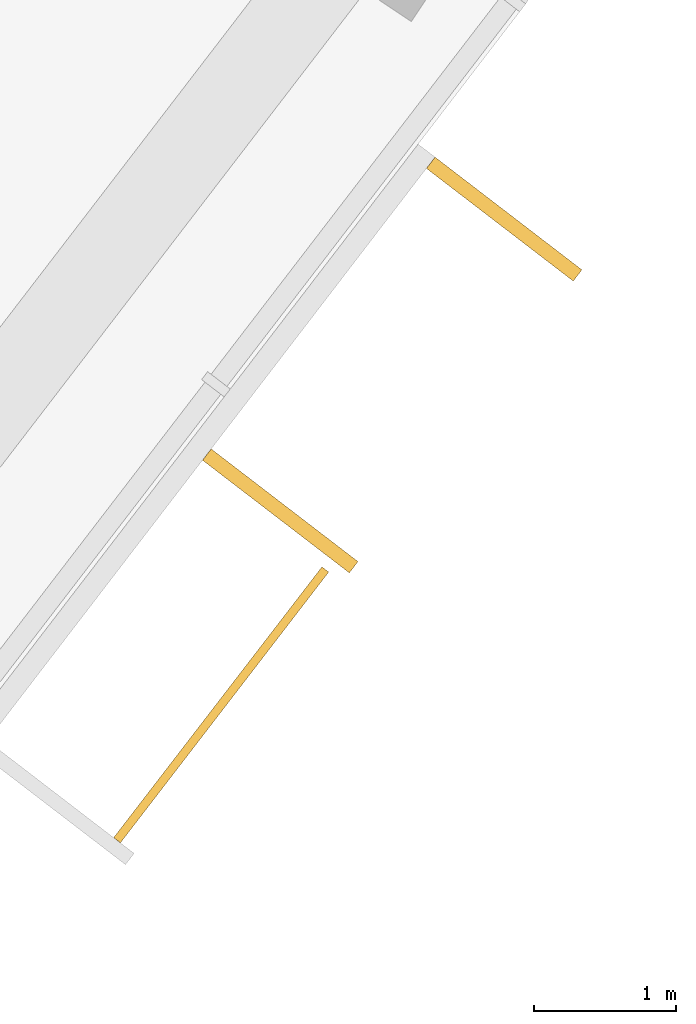
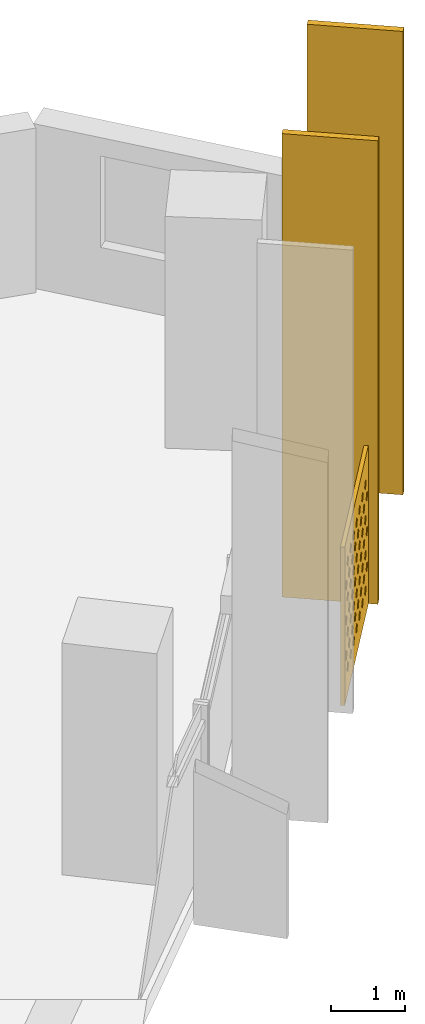
# One storey, part 27 of 27: 3 shading devices.
"""IFC4 building model written with IfcOpenShell, lengths in metres."""

import ifcopenshell
import ifcopenshell.guid

model = None  # the IFC model being written
_history = None  # IfcOwnerHistory: only IFC2X3 demands one
_inside = {}  # id of a spatial element -> (the spatial element, [elements in it])
_under = {}  # id of a project, library or spatial element -> (it, [spatial elements below it])
_declared = {}  # id of a project -> (the project, [libraries it declares])
_typed = {}  # id of a type object -> (the type object, [elements of that type])
_made_of = {}  # id of a material, layer set ... -> (it, [elements and type objects made of it])


def new_model(schema):
    """Start an empty IFC model of exactly this schema.

    Asked for "IFC4X3", IfcOpenShell would pick the latest addendum, in which some entities
    have other attributes; the version numbers below select the first issue.
    IFC2X3 requires an IfcOwnerHistory on every rooted entity: one is made here for all.
    """
    global model, _history
    if schema == "IFC4X3":
        model = ifcopenshell.file(schema_version=(4, 3, 0, 0))
    else:
        model = ifcopenshell.file(schema=schema)
    _inside.clear()
    _under.clear()
    _declared.clear()
    _typed.clear()
    _made_of.clear()
    _history = None
    if model.schema == "IFC2X3":
        org = make("IfcOrganization", Name="unknown")
        user = make(
            "IfcPersonAndOrganization",
            ThePerson=make("IfcPerson", FamilyName="unknown"),
            TheOrganization=org,
        )
        app = make(
            "IfcApplication",
            ApplicationDeveloper=org,
            Version="unknown",
            ApplicationFullName="unknown",
            ApplicationIdentifier="unknown",
        )
        _history = make(
            "IfcOwnerHistory",
            OwningUser=user,
            OwningApplication=app,
            ChangeAction="ADDED",
            CreationDate=0,
        )
    return model


def make(cls, **values):
    """One entity of the class cls with the attributes given. An attribute that is None is left unset."""
    return model.create_entity(
        cls, **{name: value for name, value in values.items() if value is not None}
    )


def rooted(cls, **values):
    """An entity with a GlobalId (a new one), such as an element, a storey or a relation."""
    return make(cls, GlobalId=ifcopenshell.guid.new(), OwnerHistory=_history, **values)


def si_unit(unit_type, name, prefix=None):
    """IfcSIUnit, for example si_unit("LENGTHUNIT", "METRE", prefix="MILLI")."""
    return make("IfcSIUnit", UnitType=unit_type, Prefix=prefix, Name=name)


def assignment(units):
    """IfcUnitAssignment: the units of a project."""
    return None if units is None else make("IfcUnitAssignment", Units=units)


def point(xyz):
    """IfcCartesianPoint."""
    return None if xyz is None else make("IfcCartesianPoint", Coordinates=xyz)


def direction(xyz):
    """IfcDirection."""
    return None if xyz is None else make("IfcDirection", DirectionRatios=xyz)


def frame(location, z_axis=None, x_axis=None):
    """IfcAxis2Placement3D, a coordinate frame: its origin and axes. An axis left out is left unset."""
    return make(
        "IfcAxis2Placement3D",
        Location=point(location),
        Axis=direction(z_axis),
        RefDirection=direction(x_axis),
    )


def frame_2d(location, x_axis=None):
    """IfcAxis2Placement2D, a coordinate frame in the plane: its origin and x axis."""
    return make(
        "IfcAxis2Placement2D", Location=point(location), RefDirection=direction(x_axis)
    )


def origin():
    """The frame at (0, 0, 0) with its axes left unset."""
    return frame((0.0, 0.0, 0.0))


def origin_2d():
    """The frame at (0, 0) in the plane with its x axis left unset."""
    return frame_2d((0.0, 0.0))


def place(relative_to, where):
    """IfcLocalPlacement: puts the frame where relative to a parent placement (None: the world)."""
    return make(
        "IfcLocalPlacement", PlacementRelTo=relative_to, RelativePlacement=where
    )


def context(
    kind, dimensions, precision=None, world=None, true_north=None, identifier=None
):
    """IfcGeometricRepresentationContext, for example the 3D "Model" context."""
    return make(
        "IfcGeometricRepresentationContext",
        ContextIdentifier=identifier,
        ContextType=kind,
        CoordinateSpaceDimension=dimensions,
        Precision=precision,
        WorldCoordinateSystem=world,
        TrueNorth=true_north,
    )


def subcontext(parent, identifier, kind, view, scale=None):
    """IfcGeometricRepresentationSubContext, for example "Body" below "Model"."""
    return make(
        "IfcGeometricRepresentationSubContext",
        ContextIdentifier=identifier,
        ContextType=kind,
        ParentContext=parent,
        TargetScale=scale,
        TargetView=view,
    )


def project(units=None, contexts=None):
    """IfcProject with its units and contexts."""
    return rooted(
        "IfcProject",
        Name="project",
        RepresentationContexts=contexts,
        UnitsInContext=assignment(units),
    )


def spatial(cls, under=None, at=None, **own):
    """A site, building, storey or space (cls), placed at a placement, below another one or the project."""
    s = rooted(cls, ObjectPlacement=at, **own)
    if under is not None:
        _under.setdefault(under.id(), (under, []))[1].append(s)
    return s


def polyline(points):
    """IfcPolyline through the points."""
    return make("IfcPolyline", Points=[point(p) for p in points])


def profile(cls, at=None, kind="AREA", **sizes):
    """A parametric profile (cls). Its sizes go by their IFC names, for example OverallWidth=200.0."""
    return make(cls, ProfileType=kind, Position=at, **sizes)


def rectangle(**sizes):
    """IfcRectangleProfileDef."""
    return profile("IfcRectangleProfileDef", **sizes)


def outline(outer, holes=None, kind="AREA"):
    """IfcArbitraryClosedProfileDef: a profile drawn as a closed curve; with holes, ...WithVoids."""
    if holes is None:
        return make("IfcArbitraryClosedProfileDef", ProfileType=kind, OuterCurve=outer)
    return make(
        "IfcArbitraryProfileDefWithVoids",
        ProfileType=kind,
        OuterCurve=outer,
        InnerCurves=holes,
    )


def extrude(swept, where, along, depth):
    """IfcExtrudedAreaSolid: the profile swept, set in the frame where, extruded along a direction by depth."""
    return make(
        "IfcExtrudedAreaSolid",
        SweptArea=swept,
        Position=where,
        ExtrudedDirection=direction(along),
        Depth=depth,
    )


def shape(context_of_items, identifier, shape_type, items):
    """IfcShapeRepresentation: the items that make up one representation, for example the "Body"."""
    return make(
        "IfcShapeRepresentation",
        ContextOfItems=context_of_items,
        RepresentationIdentifier=identifier,
        RepresentationType=shape_type,
        Items=items,
    )


def material(Name=None, Category=None):
    """IfcMaterial."""
    return make("IfcMaterial", Name=Name, Category=Category)


def material_profile(
    of_material, cross_section, Name=None, Category=None, Priority=None
):
    """IfcMaterialProfile: a cross section and its material."""
    return make(
        "IfcMaterialProfile",
        Name=Name,
        Material=of_material,
        Profile=cross_section,
        Priority=Priority,
        Category=Category,
    )


def profile_set(profiles, Name=None, composite=None):
    """IfcMaterialProfileSet."""
    return make(
        "IfcMaterialProfileSet",
        Name=Name,
        MaterialProfiles=profiles,
        CompositeProfile=composite,
    )


def made_of(thing, what):
    """Note that an element or type object is made of a material, layer set ...; save() writes the relation."""
    if what is not None:
        _made_of.setdefault(what.id(), (what, []))[1].append(thing)
    return thing


def type_object(cls, material=None, **own):
    """A type object (cls), such as IfcWallType, which elements share."""
    return made_of(rooted(cls, **own), material)


def element(
    cls,
    number,
    at=None,
    inside=None,
    cuts=None,
    type_object=None,
    material=None,
    context=None,
    identifier="Body",
    shape_type=None,
    held_by="IfcProductDefinitionShape",
    body=None,
    shapes=None,
    **own,
):
    """One element of the class cls, such as IfcWall. Its Tag is "e" and its number.

    at: its placement. inside: the storey or other place that contains it. cuts: it is an
    opening in that element (IfcRelVoidsElement). A single representation is given by context,
    identifier, shape_type and body (its items); several are given by shapes. held_by: the class
    of the entity that holds the representations. save() writes the other relations.
    """
    e = rooted(cls, Tag="e%d" % number, ObjectPlacement=at, **own)
    if body is not None:
        shapes = [shape(context, identifier, shape_type, body)]
    if shapes is not None:
        e.Representation = make(held_by, Representations=shapes)
    if inside is not None:
        _inside.setdefault(inside.id(), (inside, []))[1].append(e)
    if cuts is not None:
        rooted(
            "IfcRelVoidsElement", RelatingBuildingElement=cuts, RelatedOpeningElement=e
        )
    if type_object is not None:
        _typed.setdefault(type_object.id(), (type_object, []))[1].append(e)
    return made_of(e, material)


def aggregate(whole, parts):
    """IfcRelAggregates: a whole, such as a stair, and the parts it consists of."""
    return rooted("IfcRelAggregates", RelatingObject=whole, RelatedObjects=parts)


def save(model, path):
    """Write the relations noted so far, then the file.

    IfcRelAggregates (storeys below a building ...), IfcRelContainedInSpatialStructure (elements
    in a storey), IfcRelDefinesByType, IfcRelAssociatesMaterial and IfcRelDeclares: one each for
    every whole, place, type object, material and project.
    """
    for whole, parts in _under.values():
        aggregate(whole, parts)
    for where, things in _inside.values():
        rooted(
            "IfcRelContainedInSpatialStructure",
            RelatedElements=things,
            RelatingStructure=where,
        )
    for kind, things in _typed.values():
        rooted("IfcRelDefinesByType", RelatedObjects=things, RelatingType=kind)
    for what, things in _made_of.values():
        rooted("IfcRelAssociatesMaterial", RelatedObjects=things, RelatingMaterial=what)
    for by, libraries in _declared.values():
        rooted("IfcRelDeclares", RelatingContext=by, RelatedDefinitions=libraries)
    model.write(path)


model = new_model("IFC4")

# Units and contexts
model_context = context("Model", 3, precision=1e-05, world=origin(), true_north=direction((0.0, 1.0)))
body_context = subcontext(model_context, "Body", "Model", "MODEL_VIEW")
ifc_project = project(units=[si_unit("LENGTHUNIT", "METRE"), si_unit("AREAUNIT", "SQUARE_METRE"), si_unit("VOLUMEUNIT", "CUBIC_METRE"), si_unit("PLANEANGLEUNIT", "RADIAN"), si_unit("MASSUNIT", "GRAM", prefix="KILO")], contexts=[model_context])

# Site, building, storey
site_placement = place(None, origin())
site = spatial("IfcSite", under=ifc_project, at=site_placement, CompositionType="ELEMENT")
building_placement = place(site_placement, origin())
building = spatial("IfcBuilding", under=site, at=building_placement, Name="Qamariyya Broadcast Tower", CompositionType="ELEMENT")
storey_placement = place(building_placement, frame((0.0, 0.0, 164.5)))
storey = spatial("IfcBuildingStorey", under=building, at=storey_placement, Name="L38", CompositionType="ELEMENT", Elevation=164.5)

# Shading devices
ifc_material_1 = material(Name="Perforated glazed terracotta", Category="masonry")
ifc_material_profile_1 = material_profile(ifc_material_1, outline(polyline([(-1.199951171875, -1.300048828125), (1.199951171875, -1.300048828125), (1.199951171875, 1.300048828125), (-1.199951171875, 1.300048828125), (-1.199951171875, -1.300048828125)]), holes=[polyline([(-0.81494140625, -0.86669921875), (-0.89990234375, -0.78173828125), (-0.985107421875, -0.86669921875), (-0.89990234375, -0.95166015625), (-0.81494140625, -0.86669921875)]), polyline([(-0.514892578125, -0.86669921875), (-0.60009765625, -0.78173828125), (-0.68505859375, -0.86669921875), (-0.60009765625, -0.95166015625), (-0.514892578125, -0.86669921875)]), polyline([(-0.215087890625, -0.86669921875), (-0.300048828125, -0.78173828125), (-0.385009765625, -0.86669921875), (-0.300048828125, -0.95166015625), (-0.215087890625, -0.86669921875)]), polyline([(0.0849609375, -0.86669921875), (0.0, -0.78173828125), (-0.0849609375, -0.86669921875), (0.0, -0.95166015625), (0.0849609375, -0.86669921875)]), polyline([(0.385009765625, -0.86669921875), (0.300048828125, -0.78173828125), (0.215087890625, -0.86669921875), (0.300048828125, -0.95166015625), (0.385009765625, -0.86669921875)]), polyline([(0.68505859375, -0.86669921875), (0.60009765625, -0.78173828125), (0.514892578125, -0.86669921875), (0.60009765625, -0.95166015625), (0.68505859375, -0.86669921875)]), polyline([(0.985107421875, -0.86669921875), (0.89990234375, -0.78173828125), (0.81494140625, -0.86669921875), (0.89990234375, -0.95166015625), (0.985107421875, -0.86669921875)]), polyline([(-0.965087890625, -0.577880859375), (-1.050048828125, -0.49267578125), (-1.135009765625, -0.577880859375), (-1.050048828125, -0.662841796875), (-0.965087890625, -0.577880859375)]), polyline([(-0.6650390625, -0.577880859375), (-0.75, -0.49267578125), (-0.8349609375, -0.577880859375), (-0.75, -0.662841796875), (-0.6650390625, -0.577880859375)]), polyline([(-0.364990234375, -0.577880859375), (-0.449951171875, -0.49267578125), (-0.534912109375, -0.577880859375), (-0.449951171875, -0.662841796875), (-0.364990234375, -0.577880859375)]), polyline([(-0.06494140625, -0.577880859375), (-0.14990234375, -0.49267578125), (-0.235107421875, -0.577880859375), (-0.14990234375, -0.662841796875), (-0.06494140625, -0.577880859375)]), polyline([(0.235107421875, -0.577880859375), (0.14990234375, -0.49267578125), (0.06494140625, -0.577880859375), (0.14990234375, -0.662841796875), (0.235107421875, -0.577880859375)]), polyline([(0.534912109375, -0.577880859375), (0.449951171875, -0.49267578125), (0.364990234375, -0.577880859375), (0.449951171875, -0.662841796875), (0.534912109375, -0.577880859375)]), polyline([(0.8349609375, -0.577880859375), (0.75, -0.49267578125), (0.6650390625, -0.577880859375), (0.75, -0.662841796875), (0.8349609375, -0.577880859375)]), polyline([(1.135009765625, -0.577880859375), (1.050048828125, -0.49267578125), (0.965087890625, -0.577880859375), (1.050048828125, -0.662841796875), (1.135009765625, -0.577880859375)]), polyline([(-0.81494140625, -0.288818359375), (-0.89990234375, -0.203857421875), (-0.985107421875, -0.288818359375), (-0.89990234375, -0.373779296875), (-0.81494140625, -0.288818359375)]), polyline([(-0.514892578125, -0.288818359375), (-0.60009765625, -0.203857421875), (-0.68505859375, -0.288818359375), (-0.60009765625, -0.373779296875), (-0.514892578125, -0.288818359375)]), polyline([(-0.215087890625, -0.288818359375), (-0.300048828125, -0.203857421875), (-0.385009765625, -0.288818359375), (-0.300048828125, -0.373779296875), (-0.215087890625, -0.288818359375)]), polyline([(0.0849609375, -0.288818359375), (0.0, -0.203857421875), (-0.0849609375, -0.288818359375), (0.0, -0.373779296875), (0.0849609375, -0.288818359375)]), polyline([(0.385009765625, -0.288818359375), (0.300048828125, -0.203857421875), (0.215087890625, -0.288818359375), (0.300048828125, -0.373779296875), (0.385009765625, -0.288818359375)]), polyline([(0.68505859375, -0.288818359375), (0.60009765625, -0.203857421875), (0.514892578125, -0.288818359375), (0.60009765625, -0.373779296875), (0.68505859375, -0.288818359375)]), polyline([(0.985107421875, -0.288818359375), (0.89990234375, -0.203857421875), (0.81494140625, -0.288818359375), (0.89990234375, -0.373779296875), (0.985107421875, -0.288818359375)]), polyline([(-0.965087890625, 0.0), (-1.050048828125, 0.0849609375), (-1.135009765625, 0.0), (-1.050048828125, -0.0849609375), (-0.965087890625, 0.0)]), polyline([(-0.6650390625, 0.0), (-0.75, 0.0849609375), (-0.8349609375, 0.0), (-0.75, -0.0849609375), (-0.6650390625, 0.0)]), polyline([(-0.364990234375, 0.0), (-0.449951171875, 0.0849609375), (-0.534912109375, 0.0), (-0.449951171875, -0.0849609375), (-0.364990234375, 0.0)]), polyline([(-0.06494140625, 0.0), (-0.14990234375, 0.0849609375), (-0.235107421875, 0.0), (-0.14990234375, -0.0849609375), (-0.06494140625, 0.0)]), polyline([(0.235107421875, 0.0), (0.14990234375, 0.0849609375), (0.06494140625, 0.0), (0.14990234375, -0.0849609375), (0.235107421875, 0.0)]), polyline([(0.534912109375, 0.0), (0.449951171875, 0.0849609375), (0.364990234375, 0.0), (0.449951171875, -0.0849609375), (0.534912109375, 0.0)]), polyline([(0.8349609375, 0.0), (0.75, 0.0849609375), (0.6650390625, 0.0), (0.75, -0.0849609375), (0.8349609375, 0.0)]), polyline([(1.135009765625, 0.0), (1.050048828125, 0.0849609375), (0.965087890625, 0.0), (1.050048828125, -0.0849609375), (1.135009765625, 0.0)]), polyline([(-0.81494140625, 0.288818359375), (-0.89990234375, 0.373779296875), (-0.985107421875, 0.288818359375), (-0.89990234375, 0.203857421875), (-0.81494140625, 0.288818359375)]), polyline([(-0.514892578125, 0.288818359375), (-0.60009765625, 0.373779296875), (-0.68505859375, 0.288818359375), (-0.60009765625, 0.203857421875), (-0.514892578125, 0.288818359375)]), polyline([(-0.215087890625, 0.288818359375), (-0.300048828125, 0.373779296875), (-0.385009765625, 0.288818359375), (-0.300048828125, 0.203857421875), (-0.215087890625, 0.288818359375)]), polyline([(0.0849609375, 0.288818359375), (0.0, 0.373779296875), (-0.0849609375, 0.288818359375), (0.0, 0.203857421875), (0.0849609375, 0.288818359375)]), polyline([(0.385009765625, 0.288818359375), (0.300048828125, 0.373779296875), (0.215087890625, 0.288818359375), (0.300048828125, 0.203857421875), (0.385009765625, 0.288818359375)]), polyline([(0.68505859375, 0.288818359375), (0.60009765625, 0.373779296875), (0.514892578125, 0.288818359375), (0.60009765625, 0.203857421875), (0.68505859375, 0.288818359375)]), polyline([(0.985107421875, 0.288818359375), (0.89990234375, 0.373779296875), (0.81494140625, 0.288818359375), (0.89990234375, 0.203857421875), (0.985107421875, 0.288818359375)]), polyline([(-0.965087890625, 0.577880859375), (-1.050048828125, 0.662841796875), (-1.135009765625, 0.577880859375), (-1.050048828125, 0.49267578125), (-0.965087890625, 0.577880859375)]), polyline([(-0.6650390625, 0.577880859375), (-0.75, 0.662841796875), (-0.8349609375, 0.577880859375), (-0.75, 0.49267578125), (-0.6650390625, 0.577880859375)]), polyline([(-0.364990234375, 0.577880859375), (-0.449951171875, 0.662841796875), (-0.534912109375, 0.577880859375), (-0.449951171875, 0.49267578125), (-0.364990234375, 0.577880859375)]), polyline([(-0.06494140625, 0.577880859375), (-0.14990234375, 0.662841796875), (-0.235107421875, 0.577880859375), (-0.14990234375, 0.49267578125), (-0.06494140625, 0.577880859375)]), polyline([(0.235107421875, 0.577880859375), (0.14990234375, 0.662841796875), (0.06494140625, 0.577880859375), (0.14990234375, 0.49267578125), (0.235107421875, 0.577880859375)]), polyline([(0.534912109375, 0.577880859375), (0.449951171875, 0.662841796875), (0.364990234375, 0.577880859375), (0.449951171875, 0.49267578125), (0.534912109375, 0.577880859375)]), polyline([(0.8349609375, 0.577880859375), (0.75, 0.662841796875), (0.6650390625, 0.577880859375), (0.75, 0.49267578125), (0.8349609375, 0.577880859375)]), polyline([(1.135009765625, 0.577880859375), (1.050048828125, 0.662841796875), (0.965087890625, 0.577880859375), (1.050048828125, 0.49267578125), (1.135009765625, 0.577880859375)]), polyline([(-0.81494140625, 0.86669921875), (-0.89990234375, 0.95166015625), (-0.985107421875, 0.86669921875), (-0.89990234375, 0.78173828125), (-0.81494140625, 0.86669921875)]), polyline([(-0.514892578125, 0.86669921875), (-0.60009765625, 0.95166015625), (-0.68505859375, 0.86669921875), (-0.60009765625, 0.78173828125), (-0.514892578125, 0.86669921875)]), polyline([(-0.215087890625, 0.86669921875), (-0.300048828125, 0.95166015625), (-0.385009765625, 0.86669921875), (-0.300048828125, 0.78173828125), (-0.215087890625, 0.86669921875)]), polyline([(0.0849609375, 0.86669921875), (0.0, 0.95166015625), (-0.0849609375, 0.86669921875), (0.0, 0.78173828125), (0.0849609375, 0.86669921875)]), polyline([(0.385009765625, 0.86669921875), (0.300048828125, 0.95166015625), (0.215087890625, 0.86669921875), (0.300048828125, 0.78173828125), (0.385009765625, 0.86669921875)]), polyline([(0.68505859375, 0.86669921875), (0.60009765625, 0.95166015625), (0.514892578125, 0.86669921875), (0.60009765625, 0.78173828125), (0.68505859375, 0.86669921875)]), polyline([(0.985107421875, 0.86669921875), (0.89990234375, 0.95166015625), (0.81494140625, 0.86669921875), (0.89990234375, 0.78173828125), (0.985107421875, 0.86669921875)])]))
ifc_profile_set_1 = profile_set([ifc_material_profile_1], Name="Perforated glazed terracotta")
shading_device_type_1 = type_object("IfcShadingDeviceType", Name="Perforated terracotta screen 2400 x 2600", PredefinedType="USERDEFINED", material=ifc_profile_set_1)
shading_device_placement = place(storey_placement, frame((63.52294921875, -48.79541015625, 1.35009765625), z_axis=(0.792623989105, -0.60971076085, 0.0), x_axis=(0.60971076085, 0.792623989105, 0.0)))
element("IfcShadingDevice", 1, at=shading_device_placement, inside=storey, type_object=shading_device_type_1, Name="e-scr-L38-14-1", ObjectType="SCREEN", PredefinedType="USERDEFINED", context=body_context, shape_type="SweptSolid", body=[
    extrude(outline(polyline([(-1.199951171875, -1.300048828125), (1.199951171875, -1.300048828125), (1.199951171875, 1.300048828125), (-1.199951171875, 1.300048828125), (-1.199951171875, -1.300048828125)]), holes=[polyline([(-0.81494140625, -0.86669921875), (-0.89990234375, -0.78173828125), (-0.985107421875, -0.86669921875), (-0.89990234375, -0.95166015625), (-0.81494140625, -0.86669921875)]), polyline([(-0.514892578125, -0.86669921875), (-0.60009765625, -0.78173828125), (-0.68505859375, -0.86669921875), (-0.60009765625, -0.95166015625), (-0.514892578125, -0.86669921875)]), polyline([(-0.215087890625, -0.86669921875), (-0.300048828125, -0.78173828125), (-0.385009765625, -0.86669921875), (-0.300048828125, -0.95166015625), (-0.215087890625, -0.86669921875)]), polyline([(0.0849609375, -0.86669921875), (0.0, -0.78173828125), (-0.0849609375, -0.86669921875), (0.0, -0.95166015625), (0.0849609375, -0.86669921875)]), polyline([(0.385009765625, -0.86669921875), (0.300048828125, -0.78173828125), (0.215087890625, -0.86669921875), (0.300048828125, -0.95166015625), (0.385009765625, -0.86669921875)]), polyline([(0.68505859375, -0.86669921875), (0.60009765625, -0.78173828125), (0.514892578125, -0.86669921875), (0.60009765625, -0.95166015625), (0.68505859375, -0.86669921875)]), polyline([(0.985107421875, -0.86669921875), (0.89990234375, -0.78173828125), (0.81494140625, -0.86669921875), (0.89990234375, -0.95166015625), (0.985107421875, -0.86669921875)]), polyline([(-0.965087890625, -0.577880859375), (-1.050048828125, -0.49267578125), (-1.135009765625, -0.577880859375), (-1.050048828125, -0.662841796875), (-0.965087890625, -0.577880859375)]), polyline([(-0.6650390625, -0.577880859375), (-0.75, -0.49267578125), (-0.8349609375, -0.577880859375), (-0.75, -0.662841796875), (-0.6650390625, -0.577880859375)]), polyline([(-0.364990234375, -0.577880859375), (-0.449951171875, -0.49267578125), (-0.534912109375, -0.577880859375), (-0.449951171875, -0.662841796875), (-0.364990234375, -0.577880859375)]), polyline([(-0.06494140625, -0.577880859375), (-0.14990234375, -0.49267578125), (-0.235107421875, -0.577880859375), (-0.14990234375, -0.662841796875), (-0.06494140625, -0.577880859375)]), polyline([(0.235107421875, -0.577880859375), (0.14990234375, -0.49267578125), (0.06494140625, -0.577880859375), (0.14990234375, -0.662841796875), (0.235107421875, -0.577880859375)]), polyline([(0.534912109375, -0.577880859375), (0.449951171875, -0.49267578125), (0.364990234375, -0.577880859375), (0.449951171875, -0.662841796875), (0.534912109375, -0.577880859375)]), polyline([(0.8349609375, -0.577880859375), (0.75, -0.49267578125), (0.6650390625, -0.577880859375), (0.75, -0.662841796875), (0.8349609375, -0.577880859375)]), polyline([(1.135009765625, -0.577880859375), (1.050048828125, -0.49267578125), (0.965087890625, -0.577880859375), (1.050048828125, -0.662841796875), (1.135009765625, -0.577880859375)]), polyline([(-0.81494140625, -0.288818359375), (-0.89990234375, -0.203857421875), (-0.985107421875, -0.288818359375), (-0.89990234375, -0.373779296875), (-0.81494140625, -0.288818359375)]), polyline([(-0.514892578125, -0.288818359375), (-0.60009765625, -0.203857421875), (-0.68505859375, -0.288818359375), (-0.60009765625, -0.373779296875), (-0.514892578125, -0.288818359375)]), polyline([(-0.215087890625, -0.288818359375), (-0.300048828125, -0.203857421875), (-0.385009765625, -0.288818359375), (-0.300048828125, -0.373779296875), (-0.215087890625, -0.288818359375)]), polyline([(0.0849609375, -0.288818359375), (0.0, -0.203857421875), (-0.0849609375, -0.288818359375), (0.0, -0.373779296875), (0.0849609375, -0.288818359375)]), polyline([(0.385009765625, -0.288818359375), (0.300048828125, -0.203857421875), (0.215087890625, -0.288818359375), (0.300048828125, -0.373779296875), (0.385009765625, -0.288818359375)]), polyline([(0.68505859375, -0.288818359375), (0.60009765625, -0.203857421875), (0.514892578125, -0.288818359375), (0.60009765625, -0.373779296875), (0.68505859375, -0.288818359375)]), polyline([(0.985107421875, -0.288818359375), (0.89990234375, -0.203857421875), (0.81494140625, -0.288818359375), (0.89990234375, -0.373779296875), (0.985107421875, -0.288818359375)]), polyline([(-0.965087890625, 0.0), (-1.050048828125, 0.0849609375), (-1.135009765625, 0.0), (-1.050048828125, -0.0849609375), (-0.965087890625, 0.0)]), polyline([(-0.6650390625, 0.0), (-0.75, 0.0849609375), (-0.8349609375, 0.0), (-0.75, -0.0849609375), (-0.6650390625, 0.0)]), polyline([(-0.364990234375, 0.0), (-0.449951171875, 0.0849609375), (-0.534912109375, 0.0), (-0.449951171875, -0.0849609375), (-0.364990234375, 0.0)]), polyline([(-0.06494140625, 0.0), (-0.14990234375, 0.0849609375), (-0.235107421875, 0.0), (-0.14990234375, -0.0849609375), (-0.06494140625, 0.0)]), polyline([(0.235107421875, 0.0), (0.14990234375, 0.0849609375), (0.06494140625, 0.0), (0.14990234375, -0.0849609375), (0.235107421875, 0.0)]), polyline([(0.534912109375, 0.0), (0.449951171875, 0.0849609375), (0.364990234375, 0.0), (0.449951171875, -0.0849609375), (0.534912109375, 0.0)]), polyline([(0.8349609375, 0.0), (0.75, 0.0849609375), (0.6650390625, 0.0), (0.75, -0.0849609375), (0.8349609375, 0.0)]), polyline([(1.135009765625, 0.0), (1.050048828125, 0.0849609375), (0.965087890625, 0.0), (1.050048828125, -0.0849609375), (1.135009765625, 0.0)]), polyline([(-0.81494140625, 0.288818359375), (-0.89990234375, 0.373779296875), (-0.985107421875, 0.288818359375), (-0.89990234375, 0.203857421875), (-0.81494140625, 0.288818359375)]), polyline([(-0.514892578125, 0.288818359375), (-0.60009765625, 0.373779296875), (-0.68505859375, 0.288818359375), (-0.60009765625, 0.203857421875), (-0.514892578125, 0.288818359375)]), polyline([(-0.215087890625, 0.288818359375), (-0.300048828125, 0.373779296875), (-0.385009765625, 0.288818359375), (-0.300048828125, 0.203857421875), (-0.215087890625, 0.288818359375)]), polyline([(0.0849609375, 0.288818359375), (0.0, 0.373779296875), (-0.0849609375, 0.288818359375), (0.0, 0.203857421875), (0.0849609375, 0.288818359375)]), polyline([(0.385009765625, 0.288818359375), (0.300048828125, 0.373779296875), (0.215087890625, 0.288818359375), (0.300048828125, 0.203857421875), (0.385009765625, 0.288818359375)]), polyline([(0.68505859375, 0.288818359375), (0.60009765625, 0.373779296875), (0.514892578125, 0.288818359375), (0.60009765625, 0.203857421875), (0.68505859375, 0.288818359375)]), polyline([(0.985107421875, 0.288818359375), (0.89990234375, 0.373779296875), (0.81494140625, 0.288818359375), (0.89990234375, 0.203857421875), (0.985107421875, 0.288818359375)]), polyline([(-0.965087890625, 0.577880859375), (-1.050048828125, 0.662841796875), (-1.135009765625, 0.577880859375), (-1.050048828125, 0.49267578125), (-0.965087890625, 0.577880859375)]), polyline([(-0.6650390625, 0.577880859375), (-0.75, 0.662841796875), (-0.8349609375, 0.577880859375), (-0.75, 0.49267578125), (-0.6650390625, 0.577880859375)]), polyline([(-0.364990234375, 0.577880859375), (-0.449951171875, 0.662841796875), (-0.534912109375, 0.577880859375), (-0.449951171875, 0.49267578125), (-0.364990234375, 0.577880859375)]), polyline([(-0.06494140625, 0.577880859375), (-0.14990234375, 0.662841796875), (-0.235107421875, 0.577880859375), (-0.14990234375, 0.49267578125), (-0.06494140625, 0.577880859375)]), polyline([(0.235107421875, 0.577880859375), (0.14990234375, 0.662841796875), (0.06494140625, 0.577880859375), (0.14990234375, 0.49267578125), (0.235107421875, 0.577880859375)]), polyline([(0.534912109375, 0.577880859375), (0.449951171875, 0.662841796875), (0.364990234375, 0.577880859375), (0.449951171875, 0.49267578125), (0.534912109375, 0.577880859375)]), polyline([(0.8349609375, 0.577880859375), (0.75, 0.662841796875), (0.6650390625, 0.577880859375), (0.75, 0.49267578125), (0.8349609375, 0.577880859375)]), polyline([(1.135009765625, 0.577880859375), (1.050048828125, 0.662841796875), (0.965087890625, 0.577880859375), (1.050048828125, 0.49267578125), (1.135009765625, 0.577880859375)]), polyline([(-0.81494140625, 0.86669921875), (-0.89990234375, 0.95166015625), (-0.985107421875, 0.86669921875), (-0.89990234375, 0.78173828125), (-0.81494140625, 0.86669921875)]), polyline([(-0.514892578125, 0.86669921875), (-0.60009765625, 0.95166015625), (-0.68505859375, 0.86669921875), (-0.60009765625, 0.78173828125), (-0.514892578125, 0.86669921875)]), polyline([(-0.215087890625, 0.86669921875), (-0.300048828125, 0.95166015625), (-0.385009765625, 0.86669921875), (-0.300048828125, 0.78173828125), (-0.215087890625, 0.86669921875)]), polyline([(0.0849609375, 0.86669921875), (0.0, 0.95166015625), (-0.0849609375, 0.86669921875), (0.0, 0.78173828125), (0.0849609375, 0.86669921875)]), polyline([(0.385009765625, 0.86669921875), (0.300048828125, 0.95166015625), (0.215087890625, 0.86669921875), (0.300048828125, 0.78173828125), (0.385009765625, 0.86669921875)]), polyline([(0.68505859375, 0.86669921875), (0.60009765625, 0.95166015625), (0.514892578125, 0.86669921875), (0.60009765625, 0.78173828125), (0.68505859375, 0.86669921875)]), polyline([(0.985107421875, 0.86669921875), (0.89990234375, 0.95166015625), (0.81494140625, 0.86669921875), (0.89990234375, 0.78173828125), (0.985107421875, 0.86669921875)])]), origin(), (0.0, 0.0, 1.0), 0.06005859375),
])
ifc_material_2 = material(Name="Glazed terracotta", Category="masonry")
ifc_material_profile_2 = material_profile(ifc_material_2, rectangle(XDim=1.300048828125, YDim=0.10009765625, at=origin_2d()))
ifc_profile_set_2 = profile_set([ifc_material_profile_2], Name="Glazed terracotta")
shading_device_type_2 = type_object("IfcShadingDeviceType", Name="Terracotta fin 100 x 1300", PredefinedType="USERDEFINED", material=ifc_profile_set_2)
for number, where, z_axis, x_axis, name in (
    (2, (63.961669921875, -47.451416015625, 0.0), (0.0, 0.0, 1.0), (0.793353340291, -0.608761429009, 0.0), "e-fin-L38-14-2"),
    (3, (65.534423828125, -45.40185546875, 0.0), (0.0, 0.0, 1.0), (0.793353340291, -0.608761429009, 0.0), "e-fin-L38-14-3"),
):
    element("IfcShadingDevice", number, at=place(storey_placement, frame(where, z_axis=z_axis, x_axis=x_axis)), inside=storey, type_object=shading_device_type_2, Name=name, ObjectType="FIN", PredefinedType="USERDEFINED", context=body_context, shape_type="SweptSolid", body=[
        extrude(rectangle(XDim=1.300048828125, YDim=0.10009765625, at=origin_2d()), origin(), (0.0, 0.0, 1.0), 7.60009765625),
    ])

save(model, "model.ifc")
